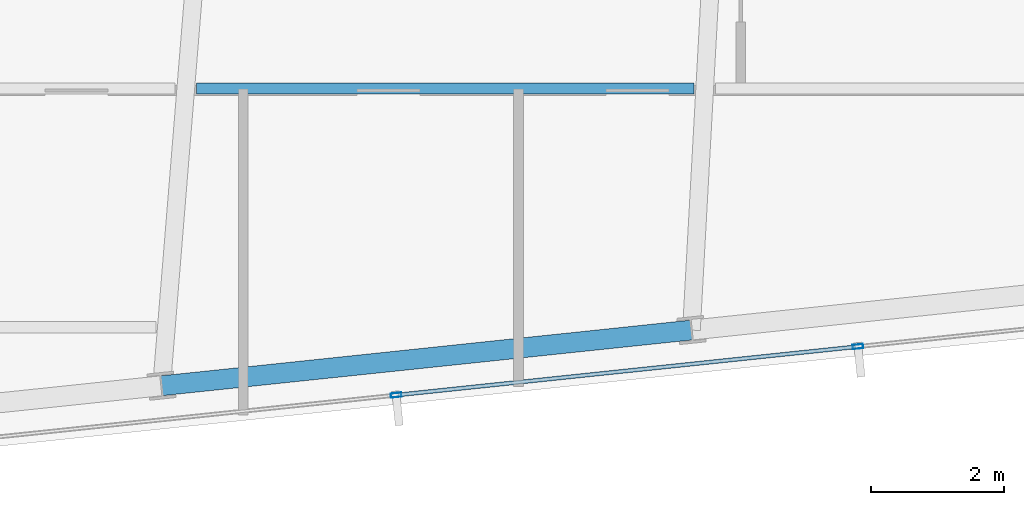
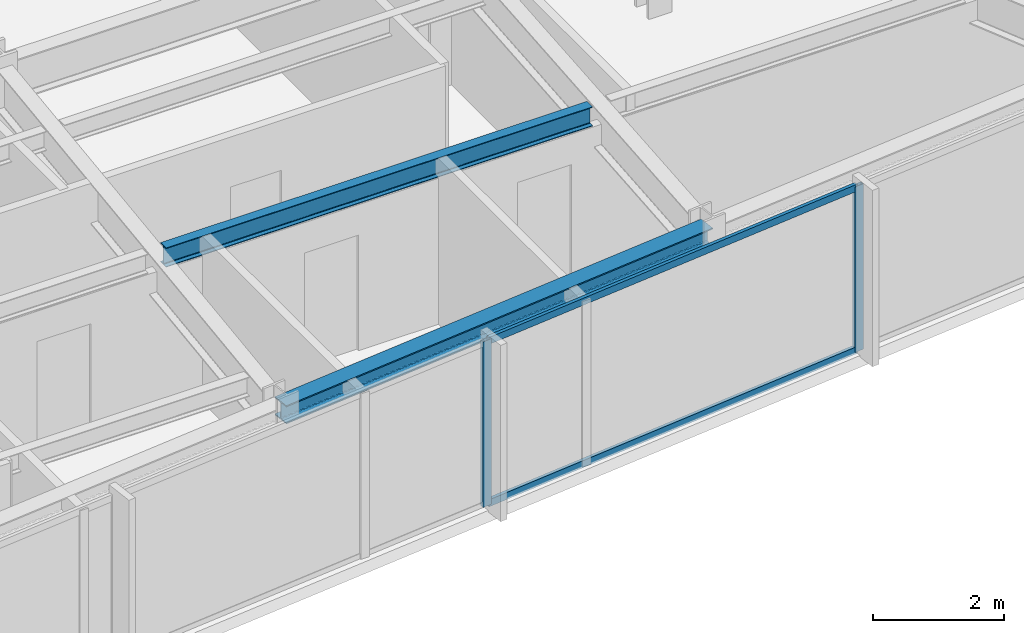
# One storey, part 14 of 32: 4 members, 2 beams, 1 element without a shape of its own.
"""IFC4 building model written with IfcOpenShell, lengths in metres."""

from ifc_helpers import new_model, si_unit, direction, frame, origin, origin_2d, place, context, subcontext, project, spatial, hollow_rectangle, i_section, extrude, material, material_profile, profile_set, type_object, element, aggregate, save


model = new_model("IFC4")

# Units and contexts
model_context = context("Model", 3, precision=1e-05, world=origin(), true_north=direction((0.0, 1.0)))
body_context = subcontext(model_context, "Body", "Model", "MODEL_VIEW")
ifc_project = project(units=[si_unit("LENGTHUNIT", "METRE"), si_unit("AREAUNIT", "SQUARE_METRE"), si_unit("VOLUMEUNIT", "CUBIC_METRE"), si_unit("PLANEANGLEUNIT", "RADIAN"), si_unit("MASSUNIT", "GRAM", prefix="KILO")], contexts=[model_context])

# Site, building, storey
site_placement = place(None, origin())
site = spatial("IfcSite", under=ifc_project, at=site_placement, CompositionType="ELEMENT")
building_placement = place(site_placement, origin())
building = spatial("IfcBuilding", under=site, at=building_placement, Name="Yelkora Congress Tower", CompositionType="ELEMENT")
storey_placement = place(building_placement, frame((0.0, 0.0, 211.10009765625)))
storey = spatial("IfcBuildingStorey", under=building, at=storey_placement, Name="L58", CompositionType="ELEMENT", Elevation=211.10009765625)

# Beams
ifc_material_1 = material(Name="Steel S355J2", Category="steel")
ifc_material_profile_1 = material_profile(ifc_material_1, i_section(OverallWidth=0.169921875, OverallDepth=0.360107421875, WebThickness=0.008056640625, FlangeThickness=0.0126953125, FilletRadius=0.01806640625, at=origin_2d()), Name="IPE 360")
ifc_profile_set_1 = profile_set([ifc_material_profile_1], Name="Steel S355J2")
beam_type_1 = type_object("IfcBeamType", Name="BM-JOIST-IPE360", PredefinedType="JOIST", material=ifc_profile_set_1)
beam_1_placement = place(storey_placement, frame((45.791259765625, 19.678466796875, 2.89990234375), z_axis=(1.0, 0.0, 0.0), x_axis=(0.0, 1.0, 0.0)))
element("IfcBeam", 1, at=beam_1_placement, inside=storey, type_object=beam_type_1, Name="L58 Composite Floor Joist 6", PredefinedType="JOIST", context=body_context, shape_type="SweptSolid", body=[
    extrude(i_section(OverallWidth=0.169921875, OverallDepth=0.360107421875, WebThickness=0.008056640625, FlangeThickness=0.0126953125, FilletRadius=0.01806640625, at=origin_2d()), origin(), (0.0, 0.0, 1.0), 7.505126953125),
])
ifc_material_profile_2 = material_profile(ifc_material_1, i_section(OverallWidth=0.300048828125, OverallDepth=0.340087890625, WebThickness=0.011962890625, FlangeThickness=0.021484375, FilletRadius=0.027099609375, at=origin_2d()), Name="HEB 340")
ifc_profile_set_2 = profile_set([ifc_material_profile_2], Name="Steel S355J2")
beam_type_2 = type_object("IfcBeamType", Name="BM-SPAN-HEB340", PredefinedType="SPANDREL", material=ifc_profile_set_2)
beam_2_placement = place(storey_placement, frame((45.26708984375, 15.197509765625, 2.909912109375), z_axis=(0.994520097542, 0.104545567032, 0.0), x_axis=(-0.104545567032, 0.994520097542, 0.0)))
element("IfcBeam", 2, at=beam_2_placement, inside=storey, type_object=beam_type_2, Name="L58 Perimeter Beam 6", PredefinedType="SPANDREL", context=body_context, shape_type="SweptSolid", body=[
    extrude(i_section(OverallWidth=0.300048828125, OverallDepth=0.340087890625, WebThickness=0.011962890625, FlangeThickness=0.021484375, FilletRadius=0.027099609375, at=origin_2d()), origin(), (0.0, 0.0, 1.0), 8.033203125),
])

# Curtain wall, members
ifc_material_2 = material(Name="Anodised aluminium and insulated glass", Category="aluminium")
curtain_wall_type = type_object("IfcCurtainWallType", Name="CW-SYS-B4", PredefinedType="NOTDEFINED", material=ifc_material_2)
curtain_wall_placement = place(storey_placement, origin())
curtain_wall = element("IfcCurtainWall", 3, at=curtain_wall_placement, inside=storey, type_object=curtain_wall_type, Name="L58 Unitised Curtain Wall 20", PredefinedType="NOTDEFINED")
ifc_material_3 = material(Name="Anodised aluminium 6063-T6", Category="aluminium")
ifc_material_profile_3 = material_profile(ifc_material_3, hollow_rectangle(XDim=0.06494140625, YDim=0.159912109375, WallThickness=0.00390625, at=origin_2d()), Name="ALU 65x160x4")
ifc_profile_set_3 = profile_set([ifc_material_profile_3], Name="Anodised aluminium 6063-T6")
member_type_1 = type_object("IfcMemberType", Name="MEM-ML-B4", PredefinedType="MULLION", material=ifc_profile_set_3)
member_1_placement = place(storey_placement, frame((55.76708984375, 15.788330078125, 0.0), z_axis=(0.0, 0.0, 1.0), x_axis=(0.104526664994, -0.994522084373, 0.0)))
member_1 = element("IfcMember", 4, at=member_1_placement, type_object=member_type_1, Name="CW-B4 mullion 3", PredefinedType="MULLION", context=body_context, shape_type="SweptSolid", body=[
    extrude(hollow_rectangle(XDim=0.06494140625, YDim=0.159912109375, WallThickness=0.00390625, at=origin_2d()), origin(), (0.0, 0.0, 1.0), 3.079833984375),
])
member_2_placement = place(storey_placement, frame((48.802490234375, 15.056396484375, 0.0), z_axis=(0.0, 0.0, 1.0), x_axis=(0.104526664994, -0.994522084373, 0.0)))
member_2 = element("IfcMember", 5, at=member_2_placement, type_object=member_type_1, Name="CW-B4 mullion 4", PredefinedType="MULLION", context=body_context, shape_type="SweptSolid", body=[
    extrude(hollow_rectangle(XDim=0.06494140625, YDim=0.159912109375, WallThickness=0.00390625, at=origin_2d()), origin(), (0.0, 0.0, 1.0), 3.079833984375),
])
ifc_material_profile_4 = material_profile(ifc_material_3, hollow_rectangle(XDim=0.06005859375, YDim=0.1298828125, WallThickness=0.00390625, at=origin_2d()), Name="ALU 60x130x4")
ifc_profile_set_4 = profile_set([ifc_material_profile_4], Name="Anodised aluminium 6063-T6")
member_type_2 = type_object("IfcMemberType", Name="MEM-TR-B4", PredefinedType="USERDEFINED", material=ifc_profile_set_4)
member_3_placement = place(storey_placement, frame((55.73486328125, 15.784912109375, 0.02978515625), z_axis=(-0.99452356298, -0.104512595784, 0.0), x_axis=(0.104512595784, -0.99452356298, 0.0)))
member_3 = element("IfcMember", 6, at=member_3_placement, type_object=member_type_2, Name="CW-B4 transom 3.1", ObjectType="TRANSOM", PredefinedType="USERDEFINED", context=body_context, shape_type="SweptSolid", body=[
    extrude(hollow_rectangle(XDim=0.06005859375, YDim=0.1298828125, WallThickness=0.00390625, at=origin_2d()), origin(), (0.0, 0.0, 1.0), 6.93798828125),
])
member_4_placement = place(storey_placement, frame((55.73486328125, 15.784912109375, 3.0498046875), z_axis=(-0.99452356298, -0.104512595784, 0.0), x_axis=(0.104512595784, -0.99452356298, 0.0)))
member_4 = element("IfcMember", 7, at=member_4_placement, type_object=member_type_2, Name="CW-B4 transom 3.2", ObjectType="TRANSOM", PredefinedType="USERDEFINED", context=body_context, shape_type="SweptSolid", body=[
    extrude(hollow_rectangle(XDim=0.06005859375, YDim=0.1298828125, WallThickness=0.00390625, at=origin_2d()), origin(), (0.0, 0.0, 1.0), 6.93798828125),
])
aggregate(curtain_wall, [member_1, member_2, member_3, member_4])

save(model, "model.ifc")
